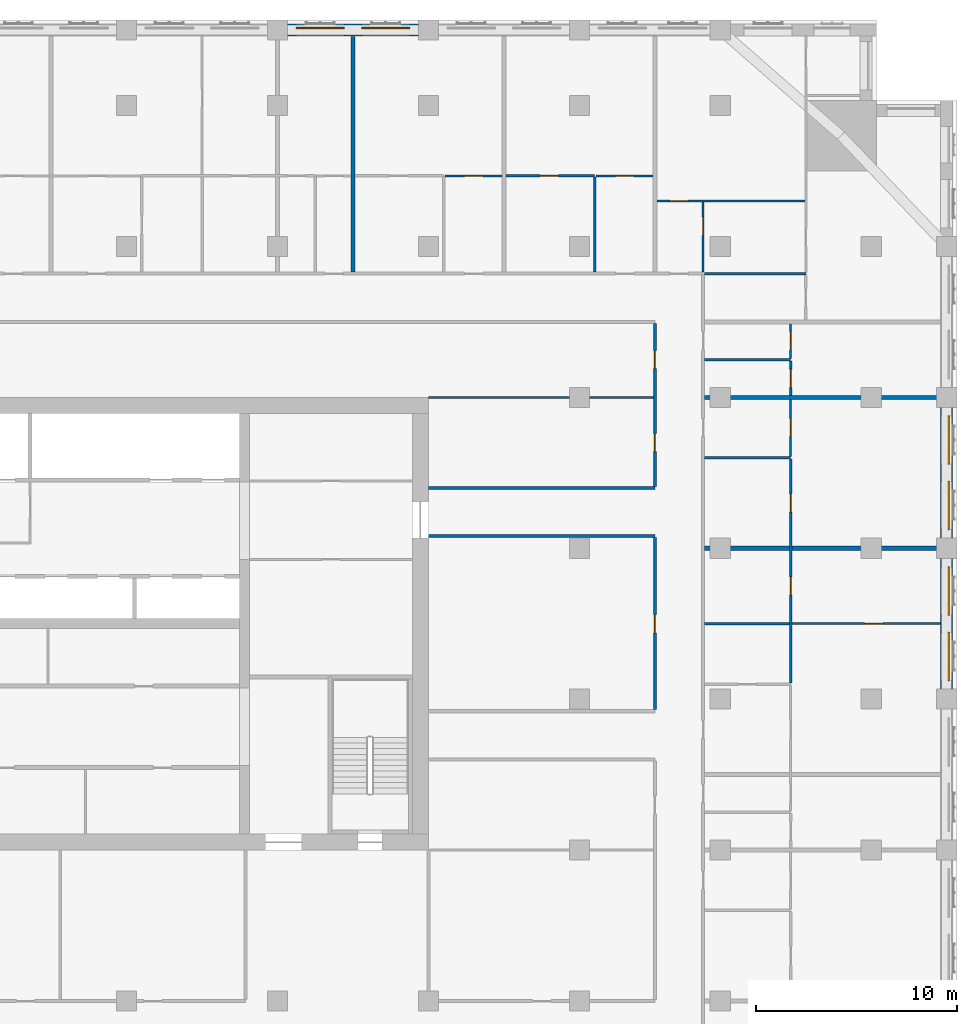
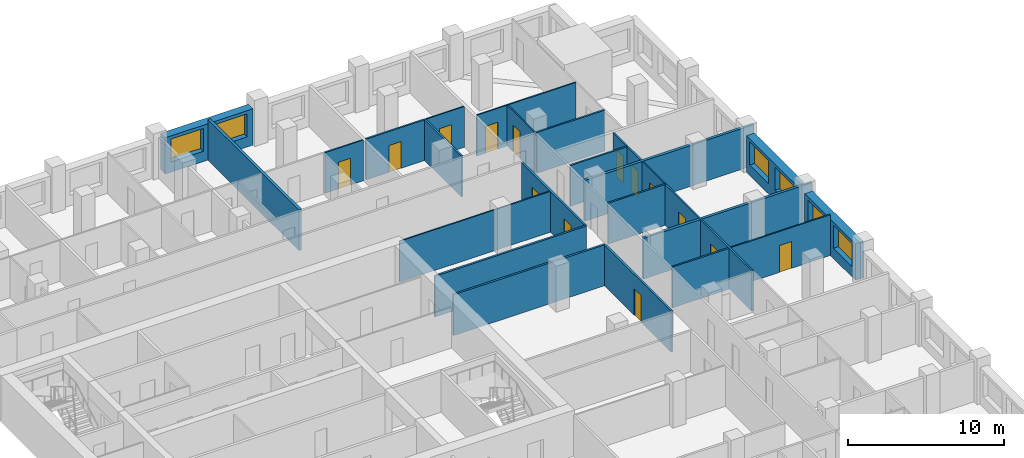
# One storey, part 10 of 14: 26 walls, 14 doors, 6 windows, 20 openings.
"""IFC4 building model written with IfcOpenShell, lengths in metres."""

from ifc_helpers import new_model, si_unit, direction, frame, frame_2d, origin, place, context, subcontext, project, spatial, rectangle, extrude, material, layer, layer_set, type_object, element, fill, save


model = new_model("IFC4")

# Units and contexts
model_context = context("Model", 3, precision=1e-05, world=origin(), true_north=direction((0.0, 1.0)))
body_context = subcontext(model_context, "Body", "Model", "MODEL_VIEW")
ifc_project = project(units=[si_unit("LENGTHUNIT", "METRE"), si_unit("AREAUNIT", "SQUARE_METRE"), si_unit("VOLUMEUNIT", "CUBIC_METRE"), si_unit("PLANEANGLEUNIT", "RADIAN"), si_unit("MASSUNIT", "GRAM", prefix="KILO")], contexts=[model_context])

# Site, building, storey
site_placement = place(None, origin())
site = spatial("IfcSite", under=ifc_project, at=site_placement, CompositionType="ELEMENT")
building_placement = place(site_placement, origin())
building = spatial("IfcBuilding", under=site, at=building_placement, Name="Tamorin Gate", CompositionType="ELEMENT")
storey_placement = place(building_placement, frame((0.0, 0.0, 162.60009765625)))
storey = spatial("IfcBuildingStorey", under=building, at=storey_placement, Name="L40", CompositionType="ELEMENT", Elevation=162.60009765625)

# Wall, openings, windows
ifc_material_1 = material(Name="Precast concrete C40/50", Category="concrete")
ifc_layer_1 = layer(ifc_material_1, 0.60009765625)
ifc_layer_set_1 = layer_set([ifc_layer_1], Name="Precast concrete C40/50")
wall_type_1 = type_object("IfcWallType", Name="Board-marked concrete facade panel 600", PredefinedType="SOLIDWALL", material=ifc_layer_set_1)
wall_1_placement = place(storey_placement, frame((85.75, 68.0, 0.0), z_axis=(0.0, 0.0, 1.0), x_axis=(0.0, 1.0, 0.0)))
wall_1 = element("IfcWall", 1, at=wall_1_placement, inside=storey, type_object=wall_type_1, Name="Facade panel", PredefinedType="SOLIDWALL", context=body_context, shape_type="SweptSolid", body=[
    extrude(rectangle(XDim=6.5, YDim=0.60009765625, at=frame_2d((3.25, 0.0))), origin(), (0.0, 0.0, 1.0), 2.849853515625),
])
opening_1_placement = place(wall_1_placement, frame((0.425048828125, 0.0, 0.800048828125)))
opening_1 = element("IfcOpeningElement", 2, at=opening_1_placement, cuts=wall_1, Name="Opening WN1", PredefinedType="OPENING", context=body_context, shape_type="SweptSolid", body=[
    extrude(rectangle(XDim=2.39990234375, YDim=1.800048828125, at=frame_2d((1.199951171875, 0.89990234375))), frame((0.0, 0.31005859375, 0.0), z_axis=(0.0, -1.0, 0.0), x_axis=(1.0, 0.0, 0.0)), (0.0, 0.0, 1.0), 0.6201171875),
])
opening_2_placement = place(wall_1_placement, frame((3.675048828125, 0.0, 0.800048828125)))
opening_2 = element("IfcOpeningElement", 3, at=opening_2_placement, cuts=wall_1, Name="Opening WN1", PredefinedType="OPENING", context=body_context, shape_type="SweptSolid", body=[
    extrude(rectangle(XDim=2.39990234375, YDim=1.800048828125, at=frame_2d((1.199951171875, 0.89990234375))), frame((0.0, 0.31005859375, 0.0), z_axis=(0.0, -1.0, 0.0), x_axis=(1.0, 0.0, 0.0)), (0.0, 0.0, 1.0), 0.6201171875),
])
ifc_material_2 = material(Name="Clear glass in aluminium frame", Category="aluminium")
window_type = type_object("IfcWindowType", Name="Deep-set window 2400x1800", PartitioningType="SINGLE_PANEL", PredefinedType="WINDOW", material=ifc_material_2)
window_1_placement = place(opening_1_placement, origin())
window_1 = element("IfcWindow", 4, at=window_1_placement, inside=storey, type_object=window_type, Name="Deep-set window", OverallHeight=1.800048828125, OverallWidth=2.39990234375, PartitioningType="SINGLE_PANEL", PredefinedType="WINDOW", context=body_context, shape_type="SweptSolid", body=[
    extrude(rectangle(XDim=2.39990234375, YDim=1.800048828125, at=frame_2d((1.199951171875, 0.89990234375))), frame((0.0, -0.070068359375, 0.0), z_axis=(0.0, -1.0, 0.0), x_axis=(1.0, 0.0, 0.0)), (0.0, 0.0, 1.0), 0.06005859375),
])
fill(opening_1, window_1)
window_2_placement = place(opening_2_placement, origin())
window_2 = element("IfcWindow", 5, at=window_2_placement, inside=storey, type_object=window_type, Name="Deep-set window", OverallHeight=1.800048828125, OverallWidth=2.39990234375, PartitioningType="SINGLE_PANEL", PredefinedType="WINDOW", context=body_context, shape_type="SweptSolid", body=[
    extrude(rectangle(XDim=2.39990234375, YDim=1.800048828125, at=frame_2d((1.199951171875, 0.89990234375))), frame((0.0, -0.070068359375, 0.0), z_axis=(0.0, -1.0, 0.0), x_axis=(1.0, 0.0, 0.0)), (0.0, 0.0, 1.0), 0.06005859375),
])
fill(opening_2, window_2)

wall_2_placement = place(storey_placement, frame((85.75, 75.5, 0.0), z_axis=(0.0, 0.0, 1.0), x_axis=(0.0, 1.0, 0.0)))
wall_2 = element("IfcWall", 6, at=wall_2_placement, inside=storey, type_object=wall_type_1, Name="Facade panel", PredefinedType="SOLIDWALL", context=body_context, shape_type="SweptSolid", body=[
    extrude(rectangle(XDim=6.5, YDim=0.60009765625, at=frame_2d((3.25, 0.0))), origin(), (0.0, 0.0, 1.0), 2.849853515625),
])
opening_3_placement = place(wall_2_placement, frame((0.425048828125, 0.0, 0.800048828125)))
opening_3 = element("IfcOpeningElement", 7, at=opening_3_placement, cuts=wall_2, Name="Opening WN1", PredefinedType="OPENING", context=body_context, shape_type="SweptSolid", body=[
    extrude(rectangle(XDim=2.39990234375, YDim=1.800048828125, at=frame_2d((1.199951171875, 0.89990234375))), frame((0.0, 0.31005859375, 0.0), z_axis=(0.0, -1.0, 0.0), x_axis=(1.0, 0.0, 0.0)), (0.0, 0.0, 1.0), 0.6201171875),
])
opening_4_placement = place(wall_2_placement, frame((3.675048828125, 0.0, 0.800048828125)))
opening_4 = element("IfcOpeningElement", 8, at=opening_4_placement, cuts=wall_2, Name="Opening WN1", PredefinedType="OPENING", context=body_context, shape_type="SweptSolid", body=[
    extrude(rectangle(XDim=2.39990234375, YDim=1.800048828125, at=frame_2d((1.199951171875, 0.89990234375))), frame((0.0, 0.31005859375, 0.0), z_axis=(0.0, -1.0, 0.0), x_axis=(1.0, 0.0, 0.0)), (0.0, 0.0, 1.0), 0.6201171875),
])
window_3_placement = place(opening_3_placement, origin())
window_3 = element("IfcWindow", 9, at=window_3_placement, inside=storey, type_object=window_type, Name="Deep-set window", OverallHeight=1.800048828125, OverallWidth=2.39990234375, PartitioningType="SINGLE_PANEL", PredefinedType="WINDOW", context=body_context, shape_type="SweptSolid", body=[
    extrude(rectangle(XDim=2.39990234375, YDim=1.800048828125, at=frame_2d((1.199951171875, 0.89990234375))), frame((0.0, -0.070068359375, 0.0), z_axis=(0.0, -1.0, 0.0), x_axis=(1.0, 0.0, 0.0)), (0.0, 0.0, 1.0), 0.06005859375),
])
fill(opening_3, window_3)
window_4_placement = place(opening_4_placement, origin())
window_4 = element("IfcWindow", 10, at=window_4_placement, inside=storey, type_object=window_type, Name="Deep-set window", OverallHeight=1.800048828125, OverallWidth=2.39990234375, PartitioningType="SINGLE_PANEL", PredefinedType="WINDOW", context=body_context, shape_type="SweptSolid", body=[
    extrude(rectangle(XDim=2.39990234375, YDim=1.800048828125, at=frame_2d((1.199951171875, 0.89990234375))), frame((0.0, -0.070068359375, 0.0), z_axis=(0.0, -1.0, 0.0), x_axis=(1.0, 0.0, 0.0)), (0.0, 0.0, 1.0), 0.06005859375),
])
fill(opening_4, window_4)

wall_3_placement = place(storey_placement, frame((59.5, 100.75, 0.0), z_axis=(0.0, 0.0, 1.0), x_axis=(-1.0, 0.0, 0.0)))
wall_3 = element("IfcWall", 11, at=wall_3_placement, inside=storey, type_object=wall_type_1, Name="Facade panel", PredefinedType="SOLIDWALL", context=body_context, shape_type="SweptSolid", body=[
    extrude(rectangle(XDim=6.5, YDim=0.60009765625, at=frame_2d((3.25, 0.0))), origin(), (0.0, 0.0, 1.0), 2.849853515625),
])
opening_5_placement = place(wall_3_placement, frame((3.675048828125, 0.0, 0.800048828125)))
opening_5 = element("IfcOpeningElement", 12, at=opening_5_placement, cuts=wall_3, Name="Opening WN1", PredefinedType="OPENING", context=body_context, shape_type="SweptSolid", body=[
    extrude(rectangle(XDim=2.39990234375, YDim=1.800048828125, at=frame_2d((1.199951171875, 0.89990234375))), frame((0.0, 0.31005859375, 0.0), z_axis=(0.0, -1.0, 0.0), x_axis=(1.0, 0.0, 0.0)), (0.0, 0.0, 1.0), 0.6201171875),
])
opening_6_placement = place(wall_3_placement, frame((0.425048828125, 0.0, 0.800048828125)))
opening_6 = element("IfcOpeningElement", 13, at=opening_6_placement, cuts=wall_3, Name="Opening WN1", PredefinedType="OPENING", context=body_context, shape_type="SweptSolid", body=[
    extrude(rectangle(XDim=2.39990234375, YDim=1.800048828125, at=frame_2d((1.199951171875, 0.89990234375))), frame((0.0, 0.31005859375, 0.0), z_axis=(0.0, -1.0, 0.0), x_axis=(1.0, 0.0, 0.0)), (0.0, 0.0, 1.0), 0.6201171875),
])
window_5_placement = place(opening_5_placement, origin())
window_5 = element("IfcWindow", 14, at=window_5_placement, inside=storey, type_object=window_type, Name="Deep-set window", OverallHeight=1.800048828125, OverallWidth=2.39990234375, PartitioningType="SINGLE_PANEL", PredefinedType="WINDOW", context=body_context, shape_type="SweptSolid", body=[
    extrude(rectangle(XDim=2.39990234375, YDim=1.800048828125, at=frame_2d((1.199951171875, 0.89990234375))), frame((0.0, -0.070068359375, 0.0), z_axis=(0.0, -1.0, 0.0), x_axis=(1.0, 0.0, 0.0)), (0.0, 0.0, 1.0), 0.06005859375),
])
fill(opening_5, window_5)
window_6_placement = place(opening_6_placement, origin())
window_6 = element("IfcWindow", 15, at=window_6_placement, inside=storey, type_object=window_type, Name="Deep-set window", OverallHeight=1.800048828125, OverallWidth=2.39990234375, PartitioningType="SINGLE_PANEL", PredefinedType="WINDOW", context=body_context, shape_type="SweptSolid", body=[
    extrude(rectangle(XDim=2.39990234375, YDim=1.800048828125, at=frame_2d((1.199951171875, 0.89990234375))), frame((0.0, -0.070068359375, 0.0), z_axis=(0.0, -1.0, 0.0), x_axis=(1.0, 0.0, 0.0)), (0.0, 0.0, 1.0), 0.06005859375),
])
fill(opening_6, window_6)

# Wall, opening, door
ifc_material_3 = material(Name="Gypsum board partition")
ifc_layer_2 = layer(ifc_material_3, 0.14990234375)
ifc_layer_set_2 = layer_set([ifc_layer_2], Name="Corridor wall 150")
wall_type_2 = type_object("IfcWallType", Name="Corridor wall 150", PredefinedType="PARTITIONING", material=ifc_layer_set_2)
wall_4_placement = place(storey_placement, frame((71.25, 66.97509765625, 0.0), z_axis=(0.0, 0.0, 1.0), x_axis=(0.0, 1.0, 0.0)))
wall_4 = element("IfcWall", 16, at=wall_4_placement, inside=storey, type_object=wall_type_2, Name="Corridor wall 150", PredefinedType="PARTITIONING", context=body_context, shape_type="SweptSolid", body=[
    extrude(rectangle(XDim=8.5498046875, YDim=0.14990234375, at=frame_2d((4.27490234375, 0.0))), origin(), (0.0, 0.0, 1.0), 3.199951171875),
])
opening_7_placement = place(wall_4_placement, frame((3.824951171875, 0.0, 0.0)))
opening_7 = element("IfcOpeningElement", 17, at=opening_7_placement, cuts=wall_4, Name="Opening DS2073", PredefinedType="OPENING", context=body_context, shape_type="SweptSolid", body=[
    extrude(rectangle(XDim=0.89990234375, YDim=2.10009765625, at=frame_2d((0.449951171875, 1.050048828125))), frame((0.0, 0.0849609375, 0.0), z_axis=(0.0, -1.0, 0.0), x_axis=(1.0, 0.0, 0.0)), (0.0, 0.0, 1.0), 0.169921875),
])
ifc_material_4 = material(Name="Timber door leaf", Category="wood")
door_type_1 = type_object("IfcDoorType", Name="Door 900 x 2100 FD30S", OperationType="NOTDEFINED", PredefinedType="DOOR", material=ifc_material_4)
door_1_placement = place(opening_7_placement, origin())
door_1 = element("IfcDoor", 18, at=door_1_placement, inside=storey, type_object=door_type_1, Name="Door DS2073", OperationType="SINGLE_SWING_LEFT", OverallHeight=2.10009765625, OverallWidth=0.89990234375, PredefinedType="DOOR", context=body_context, shape_type="SweptSolid", body=[
    extrude(rectangle(XDim=0.89990234375, YDim=2.10009765625, at=frame_2d((0.449951171875, 1.050048828125))), frame((0.0, 0.02490234375, 0.0), z_axis=(0.0, -1.0, 0.0), x_axis=(1.0, 0.0, 0.0)), (0.0, 0.0, 1.0), 0.050048828125),
])
fill(opening_7, door_1)

# Wall, openings, doors
wall_5_placement = place(storey_placement, frame((71.25, 78.074951171875, 0.0), z_axis=(0.0, 0.0, 1.0), x_axis=(0.0, 1.0, 0.0)))
wall_5 = element("IfcWall", 19, at=wall_5_placement, inside=storey, type_object=wall_type_2, Name="Corridor wall 150", PredefinedType="PARTITIONING", context=body_context, shape_type="SweptSolid", body=[
    extrude(rectangle(XDim=8.10009765625, YDim=0.14990234375, at=frame_2d((4.050048828125, 0.0))), origin(), (0.0, 0.0, 1.0), 3.199951171875),
])
opening_8_placement = place(wall_5_placement, frame((5.85009765625, 0.0, 0.0)))
opening_8 = element("IfcOpeningElement", 20, at=opening_8_placement, cuts=wall_5, Name="Opening DS2071", PredefinedType="OPENING", context=body_context, shape_type="SweptSolid", body=[
    extrude(rectangle(XDim=0.89990234375, YDim=2.10009765625, at=frame_2d((0.449951171875, 1.050048828125))), frame((0.0, 0.0849609375, 0.0), z_axis=(0.0, -1.0, 0.0), x_axis=(1.0, 0.0, 0.0)), (0.0, 0.0, 1.0), 0.169921875),
])
opening_9_placement = place(wall_5_placement, frame((1.72509765625, 0.0, 0.0)))
opening_9 = element("IfcOpeningElement", 21, at=opening_9_placement, cuts=wall_5, Name="Opening DS2074", PredefinedType="OPENING", context=body_context, shape_type="SweptSolid", body=[
    extrude(rectangle(XDim=0.89990234375, YDim=2.10009765625, at=frame_2d((0.449951171875, 1.050048828125))), frame((0.0, 0.0849609375, 0.0), z_axis=(0.0, -1.0, 0.0), x_axis=(1.0, 0.0, 0.0)), (0.0, 0.0, 1.0), 0.169921875),
])
door_2_placement = place(opening_8_placement, origin())
door_2 = element("IfcDoor", 22, at=door_2_placement, inside=storey, type_object=door_type_1, Name="Door DS2071", OperationType="SINGLE_SWING_LEFT", OverallHeight=2.10009765625, OverallWidth=0.89990234375, PredefinedType="DOOR", context=body_context, shape_type="SweptSolid", body=[
    extrude(rectangle(XDim=0.89990234375, YDim=2.10009765625, at=frame_2d((0.449951171875, 1.050048828125))), frame((0.0, 0.02490234375, 0.0), z_axis=(0.0, -1.0, 0.0), x_axis=(1.0, 0.0, 0.0)), (0.0, 0.0, 1.0), 0.050048828125),
])
fill(opening_8, door_2)
door_3_placement = place(opening_9_placement, origin())
door_3 = element("IfcDoor", 23, at=door_3_placement, inside=storey, type_object=door_type_1, Name="Door DS2074", OperationType="SINGLE_SWING_LEFT", OverallHeight=2.10009765625, OverallWidth=0.89990234375, PredefinedType="DOOR", context=body_context, shape_type="SweptSolid", body=[
    extrude(rectangle(XDim=0.89990234375, YDim=2.10009765625, at=frame_2d((0.449951171875, 1.050048828125))), frame((0.0, 0.02490234375, 0.0), z_axis=(0.0, -1.0, 0.0), x_axis=(1.0, 0.0, 0.0)), (0.0, 0.0, 1.0), 0.050048828125),
])
fill(opening_9, door_3)

# Walls
ifc_layer_3 = layer(ifc_material_3, 0.199951171875)
ifc_layer_set_3 = layer_set([ifc_layer_3], Name="Demising wall 200")
wall_type_3 = type_object("IfcWallType", Name="Demising wall 200", PredefinedType="PARTITIONING", material=ifc_layer_set_3)
for number, where, z_axis, x_axis, name in (
    (24, (73.72509765625, 75.0, 0.0), (0.0, 0.0, 1.0), (1.0, 0.0, 0.0), "Demising wall 200"),
    (25, (73.72509765625, 82.5, 0.0), (0.0, 0.0, 1.0), (1.0, 0.0, 0.0), "Demising wall 200"),
):
    element("IfcWall", number, at=place(storey_placement, frame(where, z_axis=z_axis, x_axis=x_axis)), inside=storey, type_object=wall_type_3, Name=name, PredefinedType="PARTITIONING", context=body_context, shape_type="SweptSolid", body=[
        extrude(rectangle(XDim=12.52490234375, YDim=0.199951171875, at=frame_2d((6.262451171875, 0.0))), origin(), (0.0, 0.0, 1.0), 3.199951171875),
    ])
wall_6_placement = place(storey_placement, frame((56.25, 88.72509765625, 0.0), z_axis=(0.0, 0.0, 1.0), x_axis=(0.0, 1.0, 0.0)))
element("IfcWall", 26, at=wall_6_placement, inside=storey, type_object=wall_type_3, Name="Demising wall 200", PredefinedType="PARTITIONING", context=body_context, shape_type="SweptSolid", body=[
    extrude(rectangle(XDim=11.71484375, YDim=0.199951171875, at=frame_2d((5.857421875, 0.0))), origin(), (0.0, 0.0, 1.0), 3.199951171875),
])
ifc_layer_4 = layer(ifc_material_3, 0.14990234375)
ifc_layer_set_4 = layer_set([ifc_layer_4], Name="Lobby wall 150")
wall_type_4 = type_object("IfcWallType", Name="Lobby wall 150", PredefinedType="PARTITIONING", material=ifc_layer_set_4)
for number, where, z_axis, x_axis, name in (
    (27, (60.0, 75.60009765625, 0.0), (0.0, 0.0, 1.0), (1.0, 0.0, 0.0), "Lobby wall 150"),
    (28, (60.0, 78.0, 0.0), (0.0, 0.0, 1.0), (1.0, 0.0, 0.0), "Lobby wall 150"),
):
    element("IfcWall", number, at=place(storey_placement, frame(where, z_axis=z_axis, x_axis=x_axis)), inside=storey, type_object=wall_type_4, Name=name, PredefinedType="PARTITIONING", context=body_context, shape_type="SweptSolid", body=[
        extrude(rectangle(XDim=11.25, YDim=0.14990234375, at=frame_2d((5.625, 0.0))), origin(), (0.0, 0.0, 1.0), 3.199951171875),
    ])

# Wall, opening, door
ifc_layer_5 = layer(ifc_material_3, 0.10009765625)
ifc_layer_set_5 = layer_set([ifc_layer_5], Name="Room partition 100")
wall_type_5 = type_object("IfcWallType", Name="Room partition 100", PredefinedType="PARTITIONING", material=ifc_layer_set_5)
wall_7_placement = place(storey_placement, frame((78.0625, 71.25, 0.0), z_axis=(0.0, 0.0, 1.0), x_axis=(1.0, 0.0, 0.0)))
wall_7 = element("IfcWall", 29, at=wall_7_placement, inside=storey, type_object=wall_type_5, Name="Room partition 100", PredefinedType="PARTITIONING", context=body_context, shape_type="SweptSolid", body=[
    extrude(rectangle(XDim=7.37744140625, YDim=0.10009765625, at=frame_2d((3.688720703125, 0.0))), origin(), (0.0, 0.0, 1.0), 3.199951171875),
])
opening_10_placement = place(wall_7_placement, frame((3.612548828125, 0.0, 0.0)))
opening_10 = element("IfcOpeningElement", 30, at=opening_10_placement, cuts=wall_7, Name="Opening DS2047", PredefinedType="OPENING", context=body_context, shape_type="SweptSolid", body=[
    extrude(rectangle(XDim=0.89990234375, YDim=2.10009765625, at=frame_2d((0.449951171875, 1.050048828125))), frame((0.0, 0.06005859375, 0.0), z_axis=(0.0, -1.0, 0.0), x_axis=(1.0, 0.0, 0.0)), (0.0, 0.0, 1.0), 0.1201171875),
])
door_type_2 = type_object("IfcDoorType", Name="Door 900 x 2100", OperationType="NOTDEFINED", PredefinedType="DOOR", material=ifc_material_4)
door_4_placement = place(opening_10_placement, origin())
door_4 = element("IfcDoor", 31, at=door_4_placement, inside=storey, type_object=door_type_2, Name="Door DS2047", OperationType="SINGLE_SWING_RIGHT", OverallHeight=2.10009765625, OverallWidth=0.89990234375, PredefinedType="DOOR", context=body_context, shape_type="SweptSolid", body=[
    extrude(rectangle(XDim=0.89990234375, YDim=2.10009765625, at=frame_2d((0.449951171875, 1.050048828125))), frame((0.0, 0.02490234375, 0.0), z_axis=(0.0, -1.0, 0.0), x_axis=(1.0, 0.0, 0.0)), (0.0, 0.0, 1.0), 0.050048828125),
])
fill(opening_10, door_4)

# Wall
wall_8_placement = place(storey_placement, frame((60.0, 82.5, 0.0), z_axis=(0.0, 0.0, 1.0), x_axis=(1.0, 0.0, 0.0)))
element("IfcWall", 32, at=wall_8_placement, inside=storey, type_object=wall_type_5, Name="Room partition 100", PredefinedType="PARTITIONING", context=body_context, shape_type="SweptSolid", body=[
    extrude(rectangle(XDim=11.175048828125, YDim=0.10009765625, at=frame_2d((5.58740234375, 0.0))), origin(), (0.0, 0.0, 1.0), 3.199951171875),
])

# Wall, opening, door
wall_9_placement = place(storey_placement, frame((71.35009765625, 92.25, 0.0), z_axis=(0.0, 0.0, 1.0), x_axis=(1.0, 0.0, 0.0)))
wall_9 = element("IfcWall", 33, at=wall_9_placement, inside=storey, type_object=wall_type_5, Name="Room partition 100", PredefinedType="PARTITIONING", context=body_context, shape_type="SweptSolid", body=[
    extrude(rectangle(XDim=7.349853515625, YDim=0.10009765625, at=frame_2d((3.6748046875, 0.0))), origin(), (0.0, 0.0, 1.0), 3.199951171875),
])
opening_11_placement = place(wall_9_placement, frame((0.64990234375, 0.0, 0.0)))
opening_11 = element("IfcOpeningElement", 34, at=opening_11_placement, cuts=wall_9, Name="Opening DS2061", PredefinedType="OPENING", context=body_context, shape_type="SweptSolid", body=[
    extrude(rectangle(XDim=0.89990234375, YDim=2.10009765625, at=frame_2d((0.449951171875, 1.050048828125))), frame((0.0, 0.06005859375, 0.0), z_axis=(0.0, -1.0, 0.0), x_axis=(1.0, 0.0, 0.0)), (0.0, 0.0, 1.0), 0.1201171875),
])
door_5_placement = place(opening_11_placement, origin())
door_5 = element("IfcDoor", 35, at=door_5_placement, inside=storey, type_object=door_type_2, Name="Door DS2061", OperationType="SINGLE_SWING_LEFT", OverallHeight=2.10009765625, OverallWidth=0.89990234375, PredefinedType="DOOR", context=body_context, shape_type="SweptSolid", body=[
    extrude(rectangle(XDim=0.89990234375, YDim=2.10009765625, at=frame_2d((0.449951171875, 1.050048828125))), frame((0.0, 0.02490234375, 0.0), z_axis=(0.0, -1.0, 0.0), x_axis=(1.0, 0.0, 0.0)), (0.0, 0.0, 1.0), 0.050048828125),
])
fill(opening_11, door_5)

wall_10_placement = place(storey_placement, frame((60.8125, 93.5, 0.0), z_axis=(0.0, 0.0, 1.0), x_axis=(1.0, 0.0, 0.0)))
wall_10 = element("IfcWall", 36, at=wall_10_placement, inside=storey, type_object=wall_type_5, Name="Room partition 100", PredefinedType="PARTITIONING", context=body_context, shape_type="SweptSolid", body=[
    extrude(rectangle(XDim=2.83740234375, YDim=0.10009765625, at=frame_2d((1.418701171875, 0.0))), origin(), (0.0, 0.0, 1.0), 3.199951171875),
])
opening_12_placement = place(wall_10_placement, frame((0.987548828125, 0.0, 0.0)))
opening_12 = element("IfcOpeningElement", 37, at=opening_12_placement, cuts=wall_10, Name="Opening DS2033", PredefinedType="OPENING", context=body_context, shape_type="SweptSolid", body=[
    extrude(rectangle(XDim=0.89990234375, YDim=2.10009765625, at=frame_2d((0.449951171875, 1.050048828125))), frame((0.0, 0.06005859375, 0.0), z_axis=(0.0, -1.0, 0.0), x_axis=(1.0, 0.0, 0.0)), (0.0, 0.0, 1.0), 0.1201171875),
])
door_6_placement = place(opening_12_placement, origin())
door_6 = element("IfcDoor", 38, at=door_6_placement, inside=storey, type_object=door_type_2, Name="Door DS2033", OperationType="SINGLE_SWING_RIGHT", OverallHeight=2.10009765625, OverallWidth=0.89990234375, PredefinedType="DOOR", context=body_context, shape_type="SweptSolid", body=[
    extrude(rectangle(XDim=0.89990234375, YDim=2.10009765625, at=frame_2d((0.449951171875, 1.050048828125))), frame((0.0, 0.02490234375, 0.0), z_axis=(0.0, -1.0, 0.0), x_axis=(1.0, 0.0, 0.0)), (0.0, 0.0, 1.0), 0.050048828125),
])
fill(opening_12, door_6)

wall_11_placement = place(storey_placement, frame((68.3125, 93.5, 0.0), z_axis=(0.0, 0.0, 1.0), x_axis=(1.0, 0.0, 0.0)))
wall_11 = element("IfcWall", 39, at=wall_11_placement, inside=storey, type_object=wall_type_5, Name="Room partition 100", PredefinedType="PARTITIONING", context=body_context, shape_type="SweptSolid", body=[
    extrude(rectangle(XDim=2.83740234375, YDim=0.10009765625, at=frame_2d((1.418701171875, 0.0))), origin(), (0.0, 0.0, 1.0), 3.199951171875),
])
opening_13_placement = place(wall_11_placement, frame((0.987548828125, 0.0, 0.0)))
opening_13 = element("IfcOpeningElement", 40, at=opening_13_placement, cuts=wall_11, Name="Opening DS2036", PredefinedType="OPENING", context=body_context, shape_type="SweptSolid", body=[
    extrude(rectangle(XDim=0.89990234375, YDim=2.10009765625, at=frame_2d((0.449951171875, 1.050048828125))), frame((0.0, 0.06005859375, 0.0), z_axis=(0.0, -1.0, 0.0), x_axis=(1.0, 0.0, 0.0)), (0.0, 0.0, 1.0), 0.1201171875),
])
door_7_placement = place(opening_13_placement, origin())
door_7 = element("IfcDoor", 41, at=door_7_placement, inside=storey, type_object=door_type_2, Name="Door DS2036", OperationType="SINGLE_SWING_RIGHT", OverallHeight=2.10009765625, OverallWidth=0.89990234375, PredefinedType="DOOR", context=body_context, shape_type="SweptSolid", body=[
    extrude(rectangle(XDim=0.89990234375, YDim=2.10009765625, at=frame_2d((0.449951171875, 1.050048828125))), frame((0.0, 0.02490234375, 0.0), z_axis=(0.0, -1.0, 0.0), x_axis=(1.0, 0.0, 0.0)), (0.0, 0.0, 1.0), 0.050048828125),
])
fill(opening_13, door_7)

wall_12_placement = place(storey_placement, frame((73.64990234375, 88.72509765625, 0.0), z_axis=(0.0, 0.0, 1.0), x_axis=(0.0, 1.0, 0.0)))
wall_12 = element("IfcWall", 42, at=wall_12_placement, inside=storey, type_object=wall_type_5, Name="Room partition 100", PredefinedType="PARTITIONING", context=body_context, shape_type="SweptSolid", body=[
    extrude(rectangle(XDim=3.474853515625, YDim=0.10009765625, at=frame_2d((1.7373046875, 0.0))), origin(), (0.0, 0.0, 1.0), 3.199951171875),
])
opening_14_placement = place(wall_12_placement, frame((1.824951171875, 0.0, 0.0)))
opening_14 = element("IfcOpeningElement", 43, at=opening_14_placement, cuts=wall_12, Name="Opening DS2062", PredefinedType="OPENING", context=body_context, shape_type="SweptSolid", body=[
    extrude(rectangle(XDim=0.89990234375, YDim=2.10009765625, at=frame_2d((0.449951171875, 1.050048828125))), frame((0.0, 0.06005859375, 0.0), z_axis=(0.0, -1.0, 0.0), x_axis=(1.0, 0.0, 0.0)), (0.0, 0.0, 1.0), 0.1201171875),
])
door_8_placement = place(opening_14_placement, origin())
door_8 = element("IfcDoor", 44, at=door_8_placement, inside=storey, type_object=door_type_2, Name="Door DS2062", OperationType="SINGLE_SWING_RIGHT", OverallHeight=2.10009765625, OverallWidth=0.89990234375, PredefinedType="DOOR", context=body_context, shape_type="SweptSolid", body=[
    extrude(rectangle(XDim=0.89990234375, YDim=2.10009765625, at=frame_2d((0.449951171875, 1.050048828125))), frame((0.0, 0.02490234375, 0.0), z_axis=(0.0, -1.0, 0.0), x_axis=(1.0, 0.0, 0.0)), (0.0, 0.0, 1.0), 0.050048828125),
])
fill(opening_14, door_8)

wall_13_placement = place(storey_placement, frame((78.0, 79.5625, 0.0), z_axis=(0.0, 0.0, 1.0), x_axis=(0.0, 1.0, 0.0)))
wall_13 = element("IfcWall", 45, at=wall_13_placement, inside=storey, type_object=wall_type_5, Name="Room partition 100", PredefinedType="PARTITIONING", context=body_context, shape_type="SweptSolid", body=[
    extrude(rectangle(XDim=2.83740234375, YDim=0.10009765625, at=frame_2d((1.418701171875, 0.0))), origin(), (0.0, 0.0, 1.0), 3.199951171875),
])
opening_15_placement = place(wall_13_placement, frame((0.987548828125, 0.0, 0.0)))
opening_15 = element("IfcOpeningElement", 46, at=opening_15_placement, cuts=wall_13, Name="Opening DS2050", PredefinedType="OPENING", context=body_context, shape_type="SweptSolid", body=[
    extrude(rectangle(XDim=0.89990234375, YDim=2.10009765625, at=frame_2d((0.449951171875, 1.050048828125))), frame((0.0, 0.06005859375, 0.0), z_axis=(0.0, -1.0, 0.0), x_axis=(1.0, 0.0, 0.0)), (0.0, 0.0, 1.0), 0.1201171875),
])
door_9_placement = place(opening_15_placement, origin())
door_9 = element("IfcDoor", 47, at=door_9_placement, inside=storey, type_object=door_type_2, Name="Door DS2050", OperationType="SINGLE_SWING_LEFT", OverallHeight=2.10009765625, OverallWidth=0.89990234375, PredefinedType="DOOR", context=body_context, shape_type="SweptSolid", body=[
    extrude(rectangle(XDim=0.89990234375, YDim=2.10009765625, at=frame_2d((0.449951171875, 1.050048828125))), frame((0.0, 0.02490234375, 0.0), z_axis=(0.0, -1.0, 0.0), x_axis=(1.0, 0.0, 0.0)), (0.0, 0.0, 1.0), 0.050048828125),
])
fill(opening_15, door_9)

wall_14_placement = place(storey_placement, frame((78.0, 84.4375, 0.0), z_axis=(0.0, 0.0, 1.0), x_axis=(0.0, 1.0, 0.0)))
wall_14 = element("IfcWall", 48, at=wall_14_placement, inside=storey, type_object=wall_type_5, Name="Room partition 100", PredefinedType="PARTITIONING", context=body_context, shape_type="SweptSolid", body=[
    extrude(rectangle(XDim=1.71240234375, YDim=0.10009765625, at=frame_2d((0.856201171875, 0.0))), origin(), (0.0, 0.0, 1.0), 3.199951171875),
])
opening_16_placement = place(wall_14_placement, frame((0.425048828125, 0.0, 0.0)))
opening_16 = element("IfcOpeningElement", 49, at=opening_16_placement, cuts=wall_14, Name="Opening DS2053", PredefinedType="OPENING", context=body_context, shape_type="SweptSolid", body=[
    extrude(rectangle(XDim=0.89990234375, YDim=2.10009765625, at=frame_2d((0.449951171875, 1.050048828125))), frame((0.0, 0.06005859375, 0.0), z_axis=(0.0, -1.0, 0.0), x_axis=(1.0, 0.0, 0.0)), (0.0, 0.0, 1.0), 0.1201171875),
])
door_10_placement = place(opening_16_placement, origin())
door_10 = element("IfcDoor", 50, at=door_10_placement, inside=storey, type_object=door_type_2, Name="Door DS2053", OperationType="SINGLE_SWING_LEFT", OverallHeight=2.10009765625, OverallWidth=0.89990234375, PredefinedType="DOOR", context=body_context, shape_type="SweptSolid", body=[
    extrude(rectangle(XDim=0.89990234375, YDim=2.10009765625, at=frame_2d((0.449951171875, 1.050048828125))), frame((0.0, 0.02490234375, 0.0), z_axis=(0.0, -1.0, 0.0), x_axis=(1.0, 0.0, 0.0)), (0.0, 0.0, 1.0), 0.050048828125),
])
fill(opening_16, door_10)

# Walls
ifc_layer_6 = layer(ifc_material_3, 0.125)
ifc_layer_set_6 = layer_set([ifc_layer_6], Name="Wet wall 125")
wall_type_6 = type_object("IfcWallType", Name="Wet wall 125", PredefinedType="PARTITIONING", material=ifc_layer_set_6)
wall_15_placement = place(storey_placement, frame((73.72509765625, 71.25, 0.0), z_axis=(0.0, 0.0, 1.0), x_axis=(1.0, 0.0, 0.0)))
element("IfcWall", 51, at=wall_15_placement, inside=storey, type_object=wall_type_6, Name="Wet wall 125", PredefinedType="PARTITIONING", context=body_context, shape_type="SweptSolid", body=[
    extrude(rectangle(XDim=4.21240234375, YDim=0.125, at=frame_2d((2.106201171875, 0.0))), origin(), (0.0, 0.0, 1.0), 3.199951171875),
])
for number, where, z_axis, x_axis, name in (
    (52, (73.72509765625, 79.5, 0.0), (0.0, 0.0, 1.0), (1.0, 0.0, 0.0), "Wet wall 125"),
    (53, (73.72509765625, 84.375, 0.0), (0.0, 0.0, 1.0), (1.0, 0.0, 0.0), "Wet wall 125"),
):
    element("IfcWall", number, at=place(storey_placement, frame(where, z_axis=z_axis, x_axis=x_axis)), inside=storey, type_object=wall_type_6, Name=name, PredefinedType="PARTITIONING", context=body_context, shape_type="SweptSolid", body=[
        extrude(rectangle(XDim=4.27490234375, YDim=0.125, at=frame_2d((2.137451171875, 0.0))), origin(), (0.0, 0.0, 1.0), 3.199951171875),
    ])
wall_16_placement = place(storey_placement, frame((73.72509765625, 88.64990234375, 0.0), z_axis=(0.0, 0.0, 1.0), x_axis=(1.0, 0.0, 0.0)))
element("IfcWall", 54, at=wall_16_placement, inside=storey, type_object=wall_type_6, Name="Wet wall 125", PredefinedType="PARTITIONING", context=body_context, shape_type="SweptSolid", body=[
    extrude(rectangle(XDim=5.02490234375, YDim=0.125, at=frame_2d((2.512451171875, 0.0))), origin(), (0.0, 0.0, 1.0), 3.199951171875),
])

# Wall, opening, door
wall_17_placement = place(storey_placement, frame((63.85009765625, 93.5, 0.0), z_axis=(0.0, 0.0, 1.0), x_axis=(1.0, 0.0, 0.0)))
wall_17 = element("IfcWall", 55, at=wall_17_placement, inside=storey, type_object=wall_type_6, Name="Wet wall 125", PredefinedType="PARTITIONING", context=body_context, shape_type="SweptSolid", body=[
    extrude(rectangle(XDim=4.39990234375, YDim=0.125, at=frame_2d((2.199951171875, 0.0))), origin(), (0.0, 0.0, 1.0), 3.199951171875),
])
opening_17_placement = place(wall_17_placement, frame((1.699951171875, 0.0, 0.0)))
opening_17 = element("IfcOpeningElement", 56, at=opening_17_placement, cuts=wall_17, Name="Opening DS2034", PredefinedType="OPENING", context=body_context, shape_type="SweptSolid", body=[
    extrude(rectangle(XDim=0.89990234375, YDim=2.10009765625, at=frame_2d((0.449951171875, 1.050048828125))), frame((0.0, 0.072509765625, 0.0), z_axis=(0.0, -1.0, 0.0), x_axis=(1.0, 0.0, 0.0)), (0.0, 0.0, 1.0), 0.14501953125),
])
door_11_placement = place(opening_17_placement, origin())
door_11 = element("IfcDoor", 57, at=door_11_placement, inside=storey, type_object=door_type_2, Name="Door DS2034", OperationType="SINGLE_SWING_RIGHT", OverallHeight=2.10009765625, OverallWidth=0.89990234375, PredefinedType="DOOR", context=body_context, shape_type="SweptSolid", body=[
    extrude(rectangle(XDim=0.89990234375, YDim=2.10009765625, at=frame_2d((0.449951171875, 1.050048828125))), frame((0.0, 0.02490234375, 0.0), z_axis=(0.0, -1.0, 0.0), x_axis=(1.0, 0.0, 0.0)), (0.0, 0.0, 1.0), 0.050048828125),
])
fill(opening_17, door_11)

# Wall
wall_18_placement = place(storey_placement, frame((68.25, 88.72509765625, 0.0), z_axis=(0.0, 0.0, 1.0), x_axis=(0.0, 1.0, 0.0)))
element("IfcWall", 58, at=wall_18_placement, inside=storey, type_object=wall_type_6, Name="Wet wall 125", PredefinedType="PARTITIONING", context=body_context, shape_type="SweptSolid", body=[
    extrude(rectangle(XDim=4.71240234375, YDim=0.125, at=frame_2d((2.356201171875, 0.0))), origin(), (0.0, 0.0, 1.0), 3.199951171875),
])

# Wall, openings, doors
wall_19_placement = place(storey_placement, frame((78.0, 68.3125, 0.0), z_axis=(0.0, 0.0, 1.0), x_axis=(0.0, 1.0, 0.0)))
wall_19 = element("IfcWall", 59, at=wall_19_placement, inside=storey, type_object=wall_type_6, Name="Wet wall 125", PredefinedType="PARTITIONING", context=body_context, shape_type="SweptSolid", body=[
    extrude(rectangle(XDim=11.125, YDim=0.125, at=frame_2d((5.5625, 0.0))), origin(), (0.0, 0.0, 1.0), 3.199951171875),
])
opening_18_placement = place(wall_19_placement, frame((4.362548828125, 0.0, 0.0)))
opening_18 = element("IfcOpeningElement", 60, at=opening_18_placement, cuts=wall_19, Name="Opening DS2046", PredefinedType="OPENING", context=body_context, shape_type="SweptSolid", body=[
    extrude(rectangle(XDim=0.89990234375, YDim=2.10009765625, at=frame_2d((0.449951171875, 1.050048828125))), frame((0.0, 0.072509765625, 0.0), z_axis=(0.0, -1.0, 0.0), x_axis=(1.0, 0.0, 0.0)), (0.0, 0.0, 1.0), 0.14501953125),
])
opening_19_placement = place(wall_19_placement, frame((8.487548828125, 0.0, 0.0)))
opening_19 = element("IfcOpeningElement", 61, at=opening_19_placement, cuts=wall_19, Name="Opening DS2048", PredefinedType="OPENING", context=body_context, shape_type="SweptSolid", body=[
    extrude(rectangle(XDim=0.89990234375, YDim=2.10009765625, at=frame_2d((0.449951171875, 1.050048828125))), frame((0.0, 0.072509765625, 0.0), z_axis=(0.0, -1.0, 0.0), x_axis=(1.0, 0.0, 0.0)), (0.0, 0.0, 1.0), 0.14501953125),
])
door_12_placement = place(opening_18_placement, origin())
door_12 = element("IfcDoor", 62, at=door_12_placement, inside=storey, type_object=door_type_2, Name="Door DS2046", OperationType="SINGLE_SWING_LEFT", OverallHeight=2.10009765625, OverallWidth=0.89990234375, PredefinedType="DOOR", context=body_context, shape_type="SweptSolid", body=[
    extrude(rectangle(XDim=0.89990234375, YDim=2.10009765625, at=frame_2d((0.449951171875, 1.050048828125))), frame((0.0, 0.02490234375, 0.0), z_axis=(0.0, -1.0, 0.0), x_axis=(1.0, 0.0, 0.0)), (0.0, 0.0, 1.0), 0.050048828125),
])
fill(opening_18, door_12)
door_13_placement = place(opening_19_placement, origin())
door_13 = element("IfcDoor", 63, at=door_13_placement, inside=storey, type_object=door_type_2, Name="Door DS2048", OperationType="SINGLE_SWING_LEFT", OverallHeight=2.10009765625, OverallWidth=0.89990234375, PredefinedType="DOOR", context=body_context, shape_type="SweptSolid", body=[
    extrude(rectangle(XDim=0.89990234375, YDim=2.10009765625, at=frame_2d((0.449951171875, 1.050048828125))), frame((0.0, 0.02490234375, 0.0), z_axis=(0.0, -1.0, 0.0), x_axis=(1.0, 0.0, 0.0)), (0.0, 0.0, 1.0), 0.050048828125),
])
fill(opening_19, door_13)

# Wall, opening, door
wall_20_placement = place(storey_placement, frame((78.0, 82.60009765625, 0.0), z_axis=(0.0, 0.0, 1.0), x_axis=(0.0, 1.0, 0.0)))
wall_20 = element("IfcWall", 64, at=wall_20_placement, inside=storey, type_object=wall_type_6, Name="Wet wall 125", PredefinedType="PARTITIONING", context=body_context, shape_type="SweptSolid", body=[
    extrude(rectangle(XDim=1.71240234375, YDim=0.125, at=frame_2d((0.856201171875, 0.0))), origin(), (0.0, 0.0, 1.0), 3.199951171875),
])
opening_20_placement = place(wall_20_placement, frame((0.387451171875, 0.0, 0.0)))
opening_20 = element("IfcOpeningElement", 65, at=opening_20_placement, cuts=wall_20, Name="Opening DS2051", PredefinedType="OPENING", context=body_context, shape_type="SweptSolid", body=[
    extrude(rectangle(XDim=0.89990234375, YDim=2.10009765625, at=frame_2d((0.449951171875, 1.050048828125))), frame((0.0, 0.072509765625, 0.0), z_axis=(0.0, -1.0, 0.0), x_axis=(1.0, 0.0, 0.0)), (0.0, 0.0, 1.0), 0.14501953125),
])
door_14_placement = place(opening_20_placement, origin())
door_14 = element("IfcDoor", 66, at=door_14_placement, inside=storey, type_object=door_type_2, Name="Door DS2051", OperationType="SINGLE_SWING_LEFT", OverallHeight=2.10009765625, OverallWidth=0.89990234375, PredefinedType="DOOR", context=body_context, shape_type="SweptSolid", body=[
    extrude(rectangle(XDim=0.89990234375, YDim=2.10009765625, at=frame_2d((0.449951171875, 1.050048828125))), frame((0.0, 0.02490234375, 0.0), z_axis=(0.0, -1.0, 0.0), x_axis=(1.0, 0.0, 0.0)), (0.0, 0.0, 1.0), 0.050048828125),
])
fill(opening_20, door_14)

save(model, "model.ifc")
